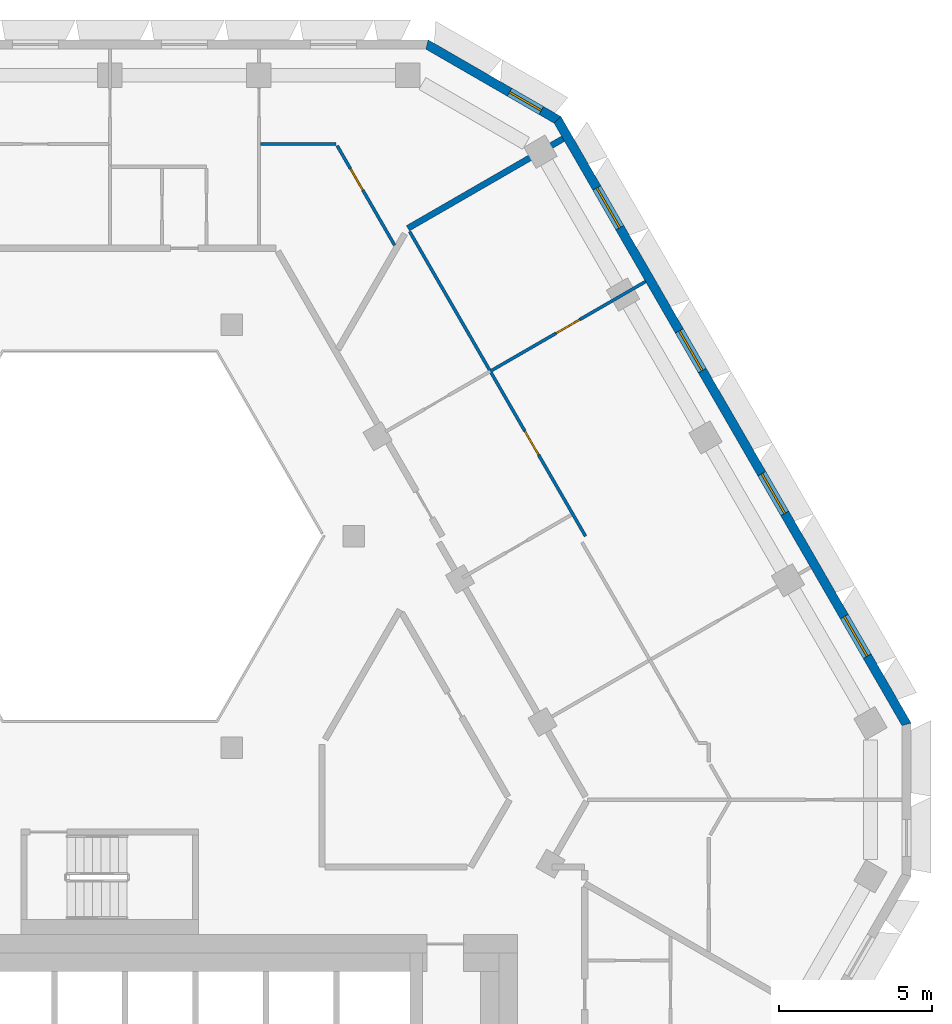
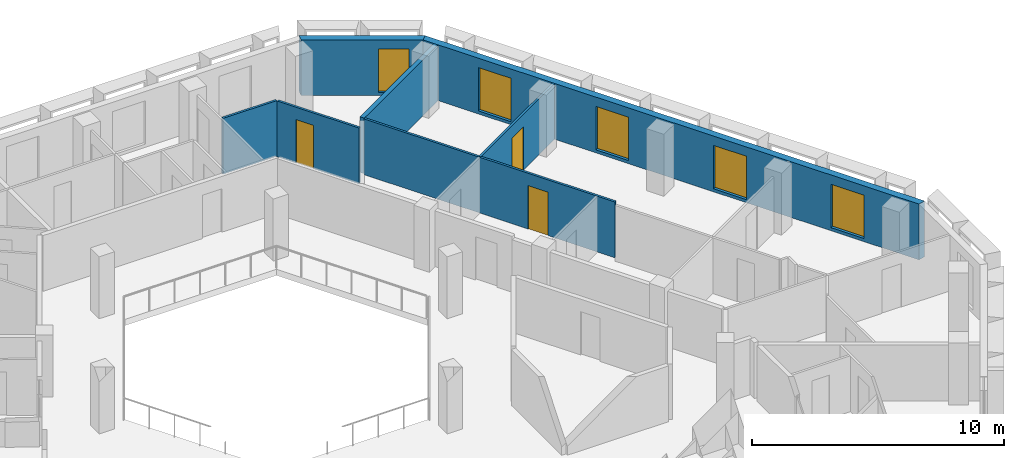
# One storey, part 8 of 15: 7 walls, 5 windows, 3 doors, 8 openings.
"""IFC4 building model written with IfcOpenShell, lengths in metres."""

from ifc_helpers import new_model, si_unit, direction, frame, frame_2d, origin, place, context, subcontext, project, spatial, polyline, rectangle, outline, extrude, material, layer, layer_set, type_object, element, fill, save


model = new_model("IFC4")

# Units and contexts
model_context = context("Model", 3, precision=1e-05, world=origin(), true_north=direction((0.0, 1.0)))
body_context = subcontext(model_context, "Body", "Model", "MODEL_VIEW")
ifc_project = project(units=[si_unit("LENGTHUNIT", "METRE"), si_unit("AREAUNIT", "SQUARE_METRE"), si_unit("VOLUMEUNIT", "CUBIC_METRE"), si_unit("PLANEANGLEUNIT", "RADIAN"), si_unit("MASSUNIT", "GRAM", prefix="KILO")], contexts=[model_context])

# Site, building, storey
site_placement = place(None, origin())
site = spatial("IfcSite", under=ifc_project, at=site_placement, CompositionType="ELEMENT")
building_placement = place(site_placement, origin())
building = spatial("IfcBuilding", under=site, at=building_placement, Name="Beryl Residences", CompositionType="ELEMENT")
storey_placement = place(building_placement, frame((0.0, 0.0, 169.199951171875)))
storey = spatial("IfcBuildingStorey", under=building, at=storey_placement, Name="L51", CompositionType="ELEMENT", Elevation=169.199951171875)

# Wall, openings, windows
ifc_material_1 = material(Name="Composite metal panel with mineral wool insulation")
ifc_layer_1 = layer(ifc_material_1, 0.300048828125)
ifc_layer_set_1 = layer_set([ifc_layer_1], Name="ES1 pale metal composite panel wall 300 mm")
wall_type_1 = type_object("IfcWallType", Name="ES1 pale metal composite panel wall 300 mm", PredefinedType="SOLIDWALL", material=ifc_layer_set_1)
wall_1_placement = place(storey_placement, frame((26.02392578125, 1.824951171875, 0.0), z_axis=(0.0, 0.0, 1.0), x_axis=(-0.500010537973, 0.866019319597, 0.0)))
wall_1 = element("IfcWall", 1, at=wall_1_placement, inside=storey, type_object=wall_type_1, Name="ES1 external wall L51 NE", PredefinedType="SOLIDWALL", context=body_context, shape_type="SweptSolid", body=[
    extrude(outline(polyline([(0.0, -0.14990234375), (22.86328125, -0.14990234375), (22.782958984375, 0.14990234375), (0.080322265625, 0.14990234375), (0.0, -0.14990234375)])), origin(), (0.0, 0.0, 1.0), 2.699951171875),
])
opening_1_placement = place(wall_1_placement, frame((2.60595703125, 0.0, 0.14990234375)))
opening_1 = element("IfcOpeningElement", 2, at=opening_1_placement, cuts=wall_1, Name="Opening W1", PredefinedType="OPENING", context=body_context, shape_type="SweptSolid", body=[
    extrude(rectangle(XDim=1.5, YDim=2.10009765625, at=frame_2d((0.75, 1.050048828125))), frame((0.0, 0.159912109375, 0.0), z_axis=(0.0, -1.0, 0.0), x_axis=(1.0, 0.0, 0.0)), (0.0, 0.0, 1.0), 0.320068359375),
])
opening_2_placement = place(wall_1_placement, frame((7.989990234375, 0.0, 0.14990234375)))
opening_2 = element("IfcOpeningElement", 3, at=opening_2_placement, cuts=wall_1, Name="Opening W1", PredefinedType="OPENING", context=body_context, shape_type="SweptSolid", body=[
    extrude(rectangle(XDim=1.5, YDim=2.10009765625, at=frame_2d((0.75, 1.050048828125))), frame((0.0, 0.159912109375, 0.0), z_axis=(0.0, -1.0, 0.0), x_axis=(1.0, 0.0, 0.0)), (0.0, 0.0, 1.0), 0.320068359375),
])
opening_3_placement = place(wall_1_placement, frame((13.373046875, 0.0, 0.14990234375)))
opening_3 = element("IfcOpeningElement", 4, at=opening_3_placement, cuts=wall_1, Name="Opening W1", PredefinedType="OPENING", context=body_context, shape_type="SweptSolid", body=[
    extrude(rectangle(XDim=1.5, YDim=2.10009765625, at=frame_2d((0.75, 1.050048828125))), frame((0.0, 0.159912109375, 0.0), z_axis=(0.0, -1.0, 0.0), x_axis=(1.0, 0.0, 0.0)), (0.0, 0.0, 1.0), 0.320068359375),
])
opening_4_placement = place(wall_1_placement, frame((18.758056640625, 0.0, 0.14990234375)))
opening_4 = element("IfcOpeningElement", 5, at=opening_4_placement, cuts=wall_1, Name="Opening W1", PredefinedType="OPENING", context=body_context, shape_type="SweptSolid", body=[
    extrude(rectangle(XDim=1.5, YDim=2.10009765625, at=frame_2d((0.75, 1.050048828125))), frame((0.0, 0.159912109375, 0.0), z_axis=(0.0, -1.0, 0.0), x_axis=(1.0, 0.0, 0.0)), (0.0, 0.0, 1.0), 0.320068359375),
])
ifc_material_2 = material(Name="Aluminium and clear glass", Category="aluminium")
window_type_1 = type_object("IfcWindowType", Name="W1 cell window 1500 x 2100 mm", PartitioningType="SINGLE_PANEL", PredefinedType="WINDOW", material=ifc_material_2)
window_1_placement = place(opening_1_placement, origin())
window_1 = element("IfcWindow", 6, at=window_1_placement, inside=storey, type_object=window_type_1, Name="W1 window L51 NE 2", OverallHeight=2.10009765625, OverallWidth=1.5, PartitioningType="SINGLE_PANEL", PredefinedType="WINDOW", context=body_context, shape_type="SweptSolid", body=[
    extrude(rectangle(XDim=1.5, YDim=2.10009765625, at=frame_2d((0.75, 1.050048828125))), frame((0.0, 0.030029296875, 0.0), z_axis=(0.0, -1.0, 0.0), x_axis=(1.0, 0.0, 0.0)), (0.0, 0.0, 1.0), 0.06005859375),
])
fill(opening_1, window_1)
window_2_placement = place(opening_2_placement, origin())
window_2 = element("IfcWindow", 7, at=window_2_placement, inside=storey, type_object=window_type_1, Name="W1 window L51 NE 4", OverallHeight=2.10009765625, OverallWidth=1.5, PartitioningType="SINGLE_PANEL", PredefinedType="WINDOW", context=body_context, shape_type="SweptSolid", body=[
    extrude(rectangle(XDim=1.5, YDim=2.10009765625, at=frame_2d((0.75, 1.050048828125))), frame((0.0, 0.030029296875, 0.0), z_axis=(0.0, -1.0, 0.0), x_axis=(1.0, 0.0, 0.0)), (0.0, 0.0, 1.0), 0.06005859375),
])
fill(opening_2, window_2)
window_3_placement = place(opening_3_placement, origin())
window_3 = element("IfcWindow", 8, at=window_3_placement, inside=storey, type_object=window_type_1, Name="W1 window L51 NE 6", OverallHeight=2.10009765625, OverallWidth=1.5, PartitioningType="SINGLE_PANEL", PredefinedType="WINDOW", context=body_context, shape_type="SweptSolid", body=[
    extrude(rectangle(XDim=1.5, YDim=2.10009765625, at=frame_2d((0.75, 1.050048828125))), frame((0.0, 0.030029296875, 0.0), z_axis=(0.0, -1.0, 0.0), x_axis=(1.0, 0.0, 0.0)), (0.0, 0.0, 1.0), 0.06005859375),
])
fill(opening_3, window_3)
window_4_placement = place(opening_4_placement, origin())
window_4 = element("IfcWindow", 9, at=window_4_placement, inside=storey, type_object=window_type_1, Name="W1 window L51 NE 8", OverallHeight=2.10009765625, OverallWidth=1.5, PartitioningType="SINGLE_PANEL", PredefinedType="WINDOW", context=body_context, shape_type="SweptSolid", body=[
    extrude(rectangle(XDim=1.5, YDim=2.10009765625, at=frame_2d((0.75, 1.050048828125))), frame((0.0, 0.030029296875, 0.0), z_axis=(0.0, -1.0, 0.0), x_axis=(1.0, 0.0, 0.0)), (0.0, 0.0, 1.0), 0.06005859375),
])
fill(opening_4, window_4)

# Wall, opening, window
wall_2_placement = place(storey_placement, frame((14.64697265625, 21.570068359375, 0.0), z_axis=(0.0, 0.0, 1.0), x_axis=(-0.866022959057, 0.500004234368, 0.0)))
wall_2 = element("IfcWall", 10, at=wall_2_placement, inside=storey, type_object=wall_type_1, Name="ES1 external wall L51 NE-N", PredefinedType="SOLIDWALL", context=body_context, shape_type="SweptSolid", body=[
    extrude(outline(polyline([(0.0, -0.14990234375), (5.0, -0.14990234375), (4.919677734375, 0.14990234375), (0.080322265625, 0.14990234375), (0.0, -0.14990234375)])), origin(), (0.0, 0.0, 1.0), 2.699951171875),
])
opening_5_placement = place(wall_2_placement, frame((0.64990234375, 0.0, 0.14990234375)))
opening_5 = element("IfcOpeningElement", 11, at=opening_5_placement, cuts=wall_2, Name="Opening W2", PredefinedType="OPENING", context=body_context, shape_type="SweptSolid", body=[
    extrude(rectangle(XDim=1.199951171875, YDim=2.10009765625, at=frame_2d((0.60009765625, 1.050048828125))), frame((0.0, 0.159912109375, 0.0), z_axis=(0.0, -1.0, 0.0), x_axis=(1.0, 0.0, 0.0)), (0.0, 0.0, 1.0), 0.320068359375),
])
ifc_material_3 = material(Name="Aluminium and clear glass", Category="aluminium")
window_type_2 = type_object("IfcWindowType", Name="W2 chamfer window 1200 x 2100 mm", PartitioningType="SINGLE_PANEL", PredefinedType="WINDOW", material=ifc_material_3)
window_5_placement = place(opening_5_placement, origin())
window_5 = element("IfcWindow", 12, at=window_5_placement, inside=storey, type_object=window_type_2, Name="W2 window L51 NE-N 1", OverallHeight=2.10009765625, OverallWidth=1.199951171875, PartitioningType="SINGLE_PANEL", PredefinedType="WINDOW", context=body_context, shape_type="SweptSolid", body=[
    extrude(rectangle(XDim=1.199951171875, YDim=2.10009765625, at=frame_2d((0.60009765625, 1.050048828125))), frame((0.0, 0.030029296875, 0.0), z_axis=(0.0, -1.0, 0.0), x_axis=(1.0, 0.0, 0.0)), (0.0, 0.0, 1.0), 0.06005859375),
])
fill(opening_5, window_5)

# Wall, opening, door
ifc_material_4 = material(Name="Gypsum board partition on steel studs", Category="steel")
ifc_layer_2 = layer(ifc_material_4, 0.10009765625)
ifc_layer_set_2 = layer_set([ifc_layer_2], Name="PT1 partition 100 mm gypsum board on steel studs")
wall_type_2 = type_object("IfcWallType", Name="PT1 partition 100 mm gypsum board on steel studs", PredefinedType="PARTITIONING", material=ifc_layer_set_2)
wall_3_placement = place(storey_placement, frame((7.4189453125, 20.7490234375, 0.0), z_axis=(0.0, 0.0, 1.0), x_axis=(0.499917691695, -0.866072919292, 0.0)))
wall_3 = element("IfcWall", 13, at=wall_3_placement, inside=storey, type_object=wall_type_2, Name="Wall PT1 L51 002", PredefinedType="PARTITIONING", context=body_context, shape_type="SweptSolid", body=[
    extrude(rectangle(XDim=3.752685546875, YDim=0.10009765625, at=frame_2d((1.87646484375, 0.0))), origin(), (0.0, 0.0, 1.0), 2.699951171875),
])
opening_6_placement = place(wall_3_placement, frame((0.8740234375, 0.0, 0.0)))
opening_6 = element("IfcOpeningElement", 14, at=opening_6_placement, cuts=wall_3, Name="Opening D1629", PredefinedType="OPENING", context=body_context, shape_type="SweptSolid", body=[
    extrude(rectangle(XDim=0.800048828125, YDim=2.10009765625, at=frame_2d((0.39990234375, 1.050048828125))), frame((0.0, 0.06005859375, 0.0), z_axis=(0.0, -1.0, 0.0), x_axis=(1.0, 0.0, 0.0)), (0.0, 0.0, 1.0), 0.1201171875),
])
ifc_material_5 = material(Name="Timber door leaf", Category="wood")
door_type_1 = type_object("IfcDoorType", Name="D3 bathroom door 800 x 2100 mm", OperationType="SINGLE_SWING_LEFT", PredefinedType="DOOR", material=ifc_material_5)
door_1_placement = place(opening_6_placement, origin())
door_1 = element("IfcDoor", 15, at=door_1_placement, inside=storey, type_object=door_type_1, Name="Door D1629 L51 001", OperationType="SINGLE_SWING_LEFT", OverallHeight=2.10009765625, OverallWidth=0.800048828125, PredefinedType="DOOR", context=body_context, shape_type="SweptSolid", body=[
    extrude(rectangle(XDim=0.800048828125, YDim=2.10009765625, at=frame_2d((0.39990234375, 1.050048828125))), frame((0.0, 0.02490234375, 0.0), z_axis=(0.0, -1.0, 0.0), x_axis=(1.0, 0.0, 0.0)), (0.0, 0.0, 1.0), 0.050048828125),
])
fill(opening_6, door_1)

wall_4_placement = place(storey_placement, frame((9.783935546875, 17.947021484375, 0.0), z_axis=(0.0, 0.0, 1.0), x_axis=(0.500016228266, -0.866016034188, 0.0)))
wall_4 = element("IfcWall", 16, at=wall_4_placement, inside=storey, type_object=wall_type_2, Name="Wall PT1 L51 005", PredefinedType="PARTITIONING", context=body_context, shape_type="SweptSolid", body=[
    extrude(rectangle(XDim=11.48583984375, YDim=0.10009765625, at=frame_2d((5.742919921875, 0.0))), origin(), (0.0, 0.0, 1.0), 2.699951171875),
])
opening_7_placement = place(wall_4_placement, frame((7.51806640625, 0.0, 0.0)))
opening_7 = element("IfcOpeningElement", 17, at=opening_7_placement, cuts=wall_4, Name="Opening D1616", PredefinedType="OPENING", context=body_context, shape_type="SweptSolid", body=[
    extrude(rectangle(XDim=0.89990234375, YDim=2.10009765625, at=frame_2d((0.449951171875, 1.050048828125))), frame((0.0, 0.06005859375, 0.0), z_axis=(0.0, -1.0, 0.0), x_axis=(1.0, 0.0, 0.0)), (0.0, 0.0, 1.0), 0.1201171875),
])
ifc_material_6 = material(Name="Timber door leaf", Category="wood")
door_type_2 = type_object("IfcDoorType", Name="D2 room door 900 x 2100 mm", OperationType="SINGLE_SWING_LEFT", PredefinedType="DOOR", material=ifc_material_6)
door_2_placement = place(opening_7_placement, origin())
door_2 = element("IfcDoor", 18, at=door_2_placement, inside=storey, type_object=door_type_2, Name="Door D1616 L51 001", OperationType="SINGLE_SWING_RIGHT", OverallHeight=2.10009765625, OverallWidth=0.89990234375, PredefinedType="DOOR", context=body_context, shape_type="SweptSolid", body=[
    extrude(rectangle(XDim=0.89990234375, YDim=2.10009765625, at=frame_2d((0.449951171875, 1.050048828125))), frame((0.0, 0.02490234375, 0.0), z_axis=(0.0, -1.0, 0.0), x_axis=(1.0, 0.0, 0.0)), (0.0, 0.0, 1.0), 0.050048828125),
])
fill(opening_7, door_2)

# Wall
wall_5_placement = place(storey_placement, frame((4.9140625, 20.799072265625, 0.0), z_axis=(0.0, 0.0, 1.0), x_axis=(1.0, 0.0, 0.0)))
element("IfcWall", 19, at=wall_5_placement, inside=storey, type_object=wall_type_2, Name="Wall PT1 L51 024", PredefinedType="PARTITIONING", context=body_context, shape_type="SweptSolid", body=[
    extrude(rectangle(XDim=2.474853515625, YDim=0.10009765625, at=frame_2d((1.2373046875, 0.0))), origin(), (0.0, 0.0, 1.0), 2.699951171875),
])

# Wall, opening, door
wall_6_placement = place(storey_placement, frame((12.4169921875, 13.385986328125, 0.0), z_axis=(0.0, 0.0, 1.0), x_axis=(0.86599873886, 0.50004618216, 0.0)))
wall_6 = element("IfcWall", 20, at=wall_6_placement, inside=storey, type_object=wall_type_2, Name="Wall PT1 L51 045", PredefinedType="PARTITIONING", context=body_context, shape_type="SweptSolid", body=[
    extrude(rectangle(XDim=5.853515625, YDim=0.10009765625, at=frame_2d((2.9267578125, 0.0))), origin(), (0.0, 0.0, 1.0), 2.699951171875),
])
opening_8_placement = place(wall_6_placement, frame((2.47607421875, 0.0, 0.0)))
opening_8 = element("IfcOpeningElement", 21, at=opening_8_placement, cuts=wall_6, Name="Opening D1620", PredefinedType="OPENING", context=body_context, shape_type="SweptSolid", body=[
    extrude(rectangle(XDim=0.89990234375, YDim=2.10009765625, at=frame_2d((0.449951171875, 1.050048828125))), frame((0.0, 0.06005859375, 0.0), z_axis=(0.0, -1.0, 0.0), x_axis=(1.0, 0.0, 0.0)), (0.0, 0.0, 1.0), 0.1201171875),
])
door_3_placement = place(opening_8_placement, origin())
door_3 = element("IfcDoor", 22, at=door_3_placement, inside=storey, type_object=door_type_2, Name="Door D1620 L51 001", OperationType="SINGLE_SWING_RIGHT", OverallHeight=2.10009765625, OverallWidth=0.89990234375, PredefinedType="DOOR", context=body_context, shape_type="SweptSolid", body=[
    extrude(rectangle(XDim=0.89990234375, YDim=2.10009765625, at=frame_2d((0.449951171875, 1.050048828125))), frame((0.0, 0.02490234375, 0.0), z_axis=(0.0, -1.0, 0.0), x_axis=(1.0, 0.0, 0.0)), (0.0, 0.0, 1.0), 0.050048828125),
])
fill(opening_8, door_3)

# Wall
ifc_material_7 = material(Name="Acoustic double stud gypsum board wall")
ifc_layer_3 = layer(ifc_material_7, 0.199951171875)
ifc_layer_set_3 = layer_set([ifc_layer_3], Name="PT3 party wall 200 mm acoustic double stud")
wall_type_3 = type_object("IfcWallType", Name="PT3 party wall 200 mm acoustic double stud", PredefinedType="PARTITIONING", material=ifc_layer_set_3)
wall_7_placement = place(storey_placement, frame((9.72900390625, 18.051025390625, 0.0), z_axis=(0.0, 0.0, 1.0), x_axis=(0.866038213712, 0.499977811898, 0.0)))
element("IfcWall", 23, at=wall_7_placement, inside=storey, type_object=wall_type_3, Name="Wall PT3 L51 012", PredefinedType="PARTITIONING", context=body_context, shape_type="SweptSolid", body=[
    extrude(rectangle(XDim=5.848388671875, YDim=0.199951171875, at=frame_2d((2.92431640625, 0.0))), origin(), (0.0, 0.0, 1.0), 2.699951171875),
])

save(model, "model.ifc")
